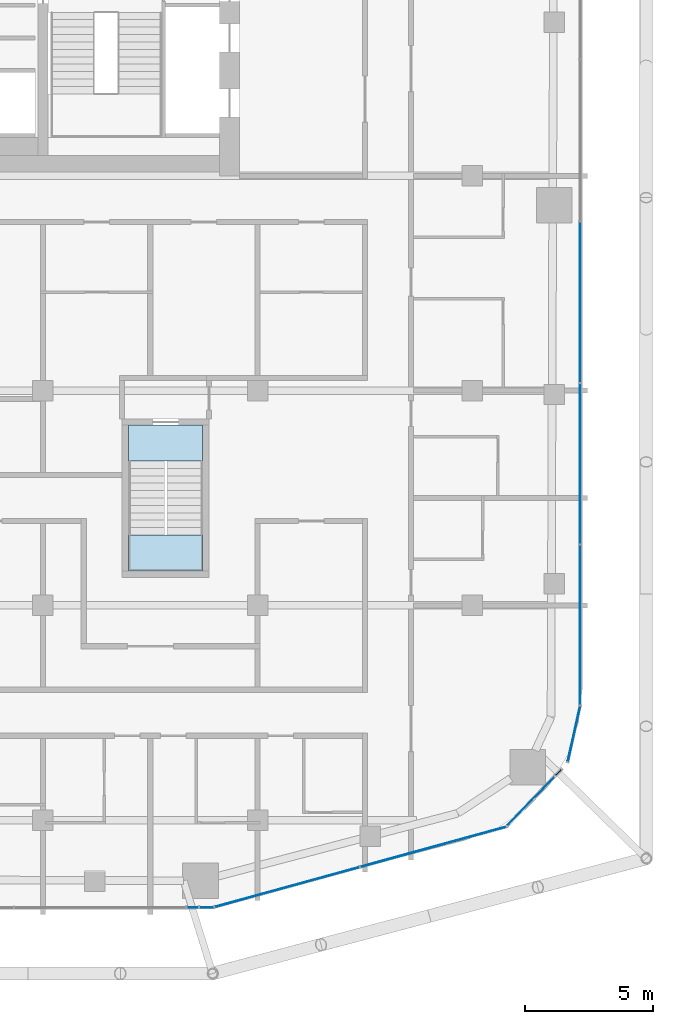
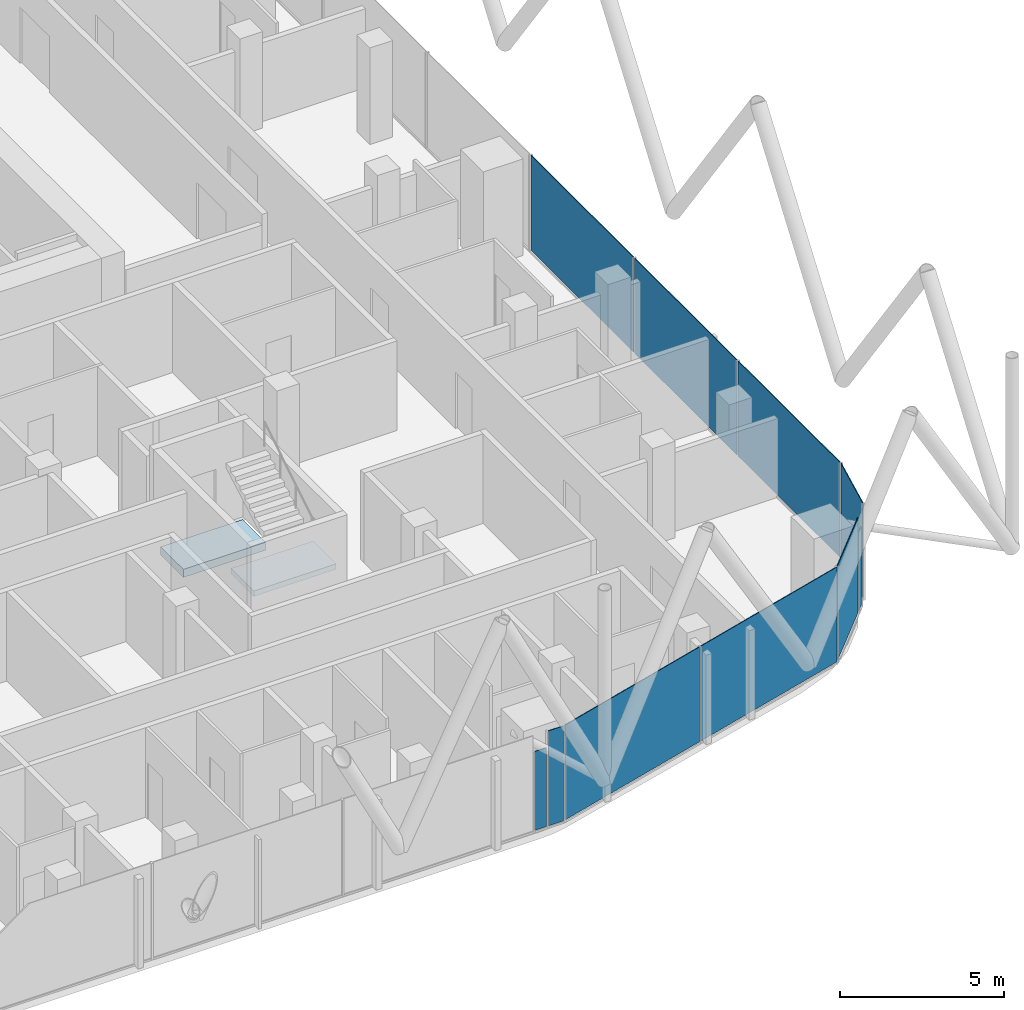
# One storey, part 16 of 28: 10 plates, 2 slabs, 8 elements without a shape of their own.
"""IFC4 building model written with IfcOpenShell, lengths in metres."""

import ifcopenshell
import ifcopenshell.guid

model = None  # the IFC model being written
_history = None  # IfcOwnerHistory: only IFC2X3 demands one
_inside = {}  # id of a spatial element -> (the spatial element, [elements in it])
_under = {}  # id of a project, library or spatial element -> (it, [spatial elements below it])
_declared = {}  # id of a project -> (the project, [libraries it declares])
_typed = {}  # id of a type object -> (the type object, [elements of that type])
_made_of = {}  # id of a material, layer set ... -> (it, [elements and type objects made of it])


def new_model(schema):
    """Start an empty IFC model of exactly this schema.

    Asked for "IFC4X3", IfcOpenShell would pick the latest addendum, in which some entities
    have other attributes; the version numbers below select the first issue.
    IFC2X3 requires an IfcOwnerHistory on every rooted entity: one is made here for all.
    """
    global model, _history
    if schema == "IFC4X3":
        model = ifcopenshell.file(schema_version=(4, 3, 0, 0))
    else:
        model = ifcopenshell.file(schema=schema)
    _inside.clear()
    _under.clear()
    _declared.clear()
    _typed.clear()
    _made_of.clear()
    _history = None
    if model.schema == "IFC2X3":
        org = make("IfcOrganization", Name="unknown")
        user = make(
            "IfcPersonAndOrganization",
            ThePerson=make("IfcPerson", FamilyName="unknown"),
            TheOrganization=org,
        )
        app = make(
            "IfcApplication",
            ApplicationDeveloper=org,
            Version="unknown",
            ApplicationFullName="unknown",
            ApplicationIdentifier="unknown",
        )
        _history = make(
            "IfcOwnerHistory",
            OwningUser=user,
            OwningApplication=app,
            ChangeAction="ADDED",
            CreationDate=0,
        )
    return model


def make(cls, **values):
    """One entity of the class cls with the attributes given. An attribute that is None is left unset."""
    return model.create_entity(
        cls, **{name: value for name, value in values.items() if value is not None}
    )


def rooted(cls, **values):
    """An entity with a GlobalId (a new one), such as an element, a storey or a relation."""
    return make(cls, GlobalId=ifcopenshell.guid.new(), OwnerHistory=_history, **values)


def si_unit(unit_type, name, prefix=None):
    """IfcSIUnit, for example si_unit("LENGTHUNIT", "METRE", prefix="MILLI")."""
    return make("IfcSIUnit", UnitType=unit_type, Prefix=prefix, Name=name)


def assignment(units):
    """IfcUnitAssignment: the units of a project."""
    return None if units is None else make("IfcUnitAssignment", Units=units)


def point(xyz):
    """IfcCartesianPoint."""
    return None if xyz is None else make("IfcCartesianPoint", Coordinates=xyz)


def direction(xyz):
    """IfcDirection."""
    return None if xyz is None else make("IfcDirection", DirectionRatios=xyz)


def frame(location, z_axis=None, x_axis=None):
    """IfcAxis2Placement3D, a coordinate frame: its origin and axes. An axis left out is left unset."""
    return make(
        "IfcAxis2Placement3D",
        Location=point(location),
        Axis=direction(z_axis),
        RefDirection=direction(x_axis),
    )


def frame_2d(location, x_axis=None):
    """IfcAxis2Placement2D, a coordinate frame in the plane: its origin and x axis."""
    return make(
        "IfcAxis2Placement2D", Location=point(location), RefDirection=direction(x_axis)
    )


def origin():
    """The frame at (0, 0, 0) with its axes left unset."""
    return frame((0.0, 0.0, 0.0))


def origin_2d():
    """The frame at (0, 0) in the plane with its x axis left unset."""
    return frame_2d((0.0, 0.0))


def place(relative_to, where):
    """IfcLocalPlacement: puts the frame where relative to a parent placement (None: the world)."""
    return make(
        "IfcLocalPlacement", PlacementRelTo=relative_to, RelativePlacement=where
    )


def context(
    kind, dimensions, precision=None, world=None, true_north=None, identifier=None
):
    """IfcGeometricRepresentationContext, for example the 3D "Model" context."""
    return make(
        "IfcGeometricRepresentationContext",
        ContextIdentifier=identifier,
        ContextType=kind,
        CoordinateSpaceDimension=dimensions,
        Precision=precision,
        WorldCoordinateSystem=world,
        TrueNorth=true_north,
    )


def subcontext(parent, identifier, kind, view, scale=None):
    """IfcGeometricRepresentationSubContext, for example "Body" below "Model"."""
    return make(
        "IfcGeometricRepresentationSubContext",
        ContextIdentifier=identifier,
        ContextType=kind,
        ParentContext=parent,
        TargetScale=scale,
        TargetView=view,
    )


def project(units=None, contexts=None):
    """IfcProject with its units and contexts."""
    return rooted(
        "IfcProject",
        Name="project",
        RepresentationContexts=contexts,
        UnitsInContext=assignment(units),
    )


def spatial(cls, under=None, at=None, **own):
    """A site, building, storey or space (cls), placed at a placement, below another one or the project."""
    s = rooted(cls, ObjectPlacement=at, **own)
    if under is not None:
        _under.setdefault(under.id(), (under, []))[1].append(s)
    return s


def polyline(points):
    """IfcPolyline through the points."""
    return make("IfcPolyline", Points=[point(p) for p in points])


def profile(cls, at=None, kind="AREA", **sizes):
    """A parametric profile (cls). Its sizes go by their IFC names, for example OverallWidth=200.0."""
    return make(cls, ProfileType=kind, Position=at, **sizes)


def rectangle(**sizes):
    """IfcRectangleProfileDef."""
    return profile("IfcRectangleProfileDef", **sizes)


def outline(outer, holes=None, kind="AREA"):
    """IfcArbitraryClosedProfileDef: a profile drawn as a closed curve; with holes, ...WithVoids."""
    if holes is None:
        return make("IfcArbitraryClosedProfileDef", ProfileType=kind, OuterCurve=outer)
    return make(
        "IfcArbitraryProfileDefWithVoids",
        ProfileType=kind,
        OuterCurve=outer,
        InnerCurves=holes,
    )


def extrude(swept, where, along, depth):
    """IfcExtrudedAreaSolid: the profile swept, set in the frame where, extruded along a direction by depth."""
    return make(
        "IfcExtrudedAreaSolid",
        SweptArea=swept,
        Position=where,
        ExtrudedDirection=direction(along),
        Depth=depth,
    )


def shape(context_of_items, identifier, shape_type, items):
    """IfcShapeRepresentation: the items that make up one representation, for example the "Body"."""
    return make(
        "IfcShapeRepresentation",
        ContextOfItems=context_of_items,
        RepresentationIdentifier=identifier,
        RepresentationType=shape_type,
        Items=items,
    )


def material(Name=None, Category=None):
    """IfcMaterial."""
    return make("IfcMaterial", Name=Name, Category=Category)


def layer(
    of_material, thickness, ventilated=None, Name=None, Category=None, Priority=None
):
    """IfcMaterialLayer: one layer of a wall or slab, of a material (None: an air gap)."""
    return make(
        "IfcMaterialLayer",
        Material=of_material,
        LayerThickness=thickness,
        IsVentilated=ventilated,
        Name=Name,
        Category=Category,
        Priority=Priority,
    )


def layer_set(layers, Name=None):
    """IfcMaterialLayerSet."""
    return make("IfcMaterialLayerSet", MaterialLayers=layers, LayerSetName=Name)


def made_of(thing, what):
    """Note that an element or type object is made of a material, layer set ...; save() writes the relation."""
    if what is not None:
        _made_of.setdefault(what.id(), (what, []))[1].append(thing)
    return thing


def type_object(cls, material=None, **own):
    """A type object (cls), such as IfcWallType, which elements share."""
    return made_of(rooted(cls, **own), material)


def element(
    cls,
    number,
    at=None,
    inside=None,
    cuts=None,
    type_object=None,
    material=None,
    context=None,
    identifier="Body",
    shape_type=None,
    held_by="IfcProductDefinitionShape",
    body=None,
    shapes=None,
    **own,
):
    """One element of the class cls, such as IfcWall. Its Tag is "e" and its number.

    at: its placement. inside: the storey or other place that contains it. cuts: it is an
    opening in that element (IfcRelVoidsElement). A single representation is given by context,
    identifier, shape_type and body (its items); several are given by shapes. held_by: the class
    of the entity that holds the representations. save() writes the other relations.
    """
    e = rooted(cls, Tag="e%d" % number, ObjectPlacement=at, **own)
    if body is not None:
        shapes = [shape(context, identifier, shape_type, body)]
    if shapes is not None:
        e.Representation = make(held_by, Representations=shapes)
    if inside is not None:
        _inside.setdefault(inside.id(), (inside, []))[1].append(e)
    if cuts is not None:
        rooted(
            "IfcRelVoidsElement", RelatingBuildingElement=cuts, RelatedOpeningElement=e
        )
    if type_object is not None:
        _typed.setdefault(type_object.id(), (type_object, []))[1].append(e)
    return made_of(e, material)


def aggregate(whole, parts):
    """IfcRelAggregates: a whole, such as a stair, and the parts it consists of."""
    return rooted("IfcRelAggregates", RelatingObject=whole, RelatedObjects=parts)


def save(model, path):
    """Write the relations noted so far, then the file.

    IfcRelAggregates (storeys below a building ...), IfcRelContainedInSpatialStructure (elements
    in a storey), IfcRelDefinesByType, IfcRelAssociatesMaterial and IfcRelDeclares: one each for
    every whole, place, type object, material and project.
    """
    for whole, parts in _under.values():
        aggregate(whole, parts)
    for where, things in _inside.values():
        rooted(
            "IfcRelContainedInSpatialStructure",
            RelatedElements=things,
            RelatingStructure=where,
        )
    for kind, things in _typed.values():
        rooted("IfcRelDefinesByType", RelatedObjects=things, RelatingType=kind)
    for what, things in _made_of.values():
        rooted("IfcRelAssociatesMaterial", RelatedObjects=things, RelatingMaterial=what)
    for by, libraries in _declared.values():
        rooted("IfcRelDeclares", RelatingContext=by, RelatedDefinitions=libraries)
    model.write(path)


model = new_model("IFC4")

# Units and contexts
model_context = context("Model", 3, precision=1e-05, world=origin(), true_north=direction((0.0, 1.0)))
body_context = subcontext(model_context, "Body", "Model", "MODEL_VIEW")
ifc_project = project(units=[si_unit("LENGTHUNIT", "METRE"), si_unit("AREAUNIT", "SQUARE_METRE"), si_unit("VOLUMEUNIT", "CUBIC_METRE"), si_unit("PLANEANGLEUNIT", "RADIAN"), si_unit("MASSUNIT", "GRAM", prefix="KILO")], contexts=[model_context])

# Site, building, storey
site_placement = place(None, origin())
site = spatial("IfcSite", under=ifc_project, at=site_placement, CompositionType="ELEMENT")
building_placement = place(site_placement, origin())
building = spatial("IfcBuilding", under=site, at=building_placement, Name="Marenta Gate Hotel Tower", CompositionType="ELEMENT")
storey_placement = place(building_placement, frame((0.0, 0.0, 227.300048828125)))
storey = spatial("IfcBuildingStorey", under=building, at=storey_placement, Name="L53", CompositionType="ELEMENT", Elevation=227.300048828125)

# Curtain wall, plate
ifc_material_1 = material(Name="Tinted insulated glass in bronze anodised frame", Category="glass")
ifc_layer_1 = layer(ifc_material_1, 0.1201171875)
ifc_layer_set_1 = layer_set([ifc_layer_1], Name="Tinted insulated glass in bronze anodised frame")
curtain_wall_type = type_object("IfcCurtainWallType", Name="Tower unitised curtain wall CW1", PredefinedType="NOTDEFINED", material=ifc_layer_set_1)
curtain_wall_1_placement = place(storey_placement, origin())
curtain_wall_1 = element("IfcCurtainWall", 1, at=curtain_wall_1_placement, inside=storey, type_object=curtain_wall_type, Name="CW1 run G13", PredefinedType="NOTDEFINED")
ifc_material_2 = material(Name="Tinted insulated glass", Category="glass")
ifc_layer_2 = layer(ifc_material_2, 0.028076171875)
ifc_layer_set_2 = layer_set([ifc_layer_2], Name="Tinted insulated glass")
plate_type = type_object("IfcPlateType", Name="Glass panel CW1 28 mm tinted insulated unit", PredefinedType="CURTAIN_PANEL", material=ifc_layer_set_2)
plate_1_placement = place(storey_placement, frame((10.06201171875, -28.614013671875, 0.06005859375), z_axis=(0.0, 0.0, 1.0), x_axis=(0.999998577531, 0.001686693784, 0.0)))
plate_1 = element("IfcPlate", 2, at=plate_1_placement, type_object=plate_type, Name="CW1 panel 1.1", PredefinedType="CURTAIN_PANEL", context=body_context, shape_type="SweptSolid", body=[
    extrude(rectangle(XDim=0.414306640625, YDim=0.028076171875, at=origin_2d()), origin(), (0.0, 0.0, 1.0), 2.9404296875),
])
aggregate(curtain_wall_1, [plate_1])

curtain_wall_2_placement = place(storey_placement, origin())
curtain_wall_2 = element("IfcCurtainWall", 3, at=curtain_wall_2_placement, inside=storey, type_object=curtain_wall_type, Name="CW1 run G14", PredefinedType="NOTDEFINED")
plate_2_placement = place(storey_placement, frame((10.601318359375, -28.613037109375, 0.059814453125), z_axis=(0.0, 0.0, 1.0), x_axis=(0.999998631715, 0.001654257461, 0.0)))
plate_2 = element("IfcPlate", 4, at=plate_2_placement, type_object=plate_type, Name="CW1 panel 1.1", PredefinedType="CURTAIN_PANEL", context=body_context, shape_type="SweptSolid", body=[
    extrude(rectangle(XDim=0.54443359375, YDim=0.028076171875, at=origin_2d()), origin(), (0.0, 0.0, 1.0), 3.5400390625),
])
aggregate(curtain_wall_2, [plate_2])

# Curtain wall, plates
curtain_wall_3_placement = place(storey_placement, origin())
curtain_wall_3 = element("IfcCurtainWall", 5, at=curtain_wall_3_placement, inside=storey, type_object=curtain_wall_type, Name="CW1 run G15", PredefinedType="NOTDEFINED")
plate_3_placement = place(storey_placement, frame((13.7509765625, -27.82080078125, 0.059814453125), z_axis=(0.0, 0.0, 1.0), x_axis=(0.964167765212, 0.265293272675, 0.0)))
plate_3 = element("IfcPlate", 6, at=plate_3_placement, type_object=plate_type, Name="CW1 panel 1.1", PredefinedType="CURTAIN_PANEL", context=body_context, shape_type="SweptSolid", body=[
    extrude(rectangle(XDim=5.848388671875, YDim=0.028076171875, at=origin_2d()), origin(), (0.0, 0.0, 1.0), 3.5400390625),
])
plate_4_placement = place(storey_placement, frame((19.4765625, -26.245361328125, 0.059814453125), z_axis=(0.0, 0.0, 1.0), x_axis=(0.964167765212, 0.265293272675, 0.0)))
plate_4 = element("IfcPlate", 7, at=plate_4_placement, type_object=plate_type, Name="CW1 panel 2.1", PredefinedType="CURTAIN_PANEL", context=body_context, shape_type="SweptSolid", body=[
    extrude(rectangle(XDim=5.908203125, YDim=0.028076171875, at=origin_2d()), origin(), (0.0, 0.0, 1.0), 3.5400390625),
])
aggregate(curtain_wall_3, [plate_3, plate_4])

# Curtain wall, plate
curtain_wall_4_placement = place(storey_placement, origin())
curtain_wall_4 = element("IfcCurtainWall", 8, at=curtain_wall_4_placement, inside=storey, type_object=curtain_wall_type, Name="CW1 run G16", PredefinedType="NOTDEFINED")
plate_5_placement = place(storey_placement, frame((23.284912109375, -24.461669921875, 0.059814453125), z_axis=(0.0, 0.0, 1.0), x_axis=(0.692544874237, 0.721374796599, 0.0)))
plate_5 = element("IfcPlate", 9, at=plate_5_placement, type_object=plate_type, Name="CW1 panel 1.1", PredefinedType="CURTAIN_PANEL", context=body_context, shape_type="SweptSolid", body=[
    extrude(rectangle(XDim=2.652587890625, YDim=0.028076171875, at=origin_2d()), origin(), (0.0, 0.0, 1.0), 3.5400390625),
])
aggregate(curtain_wall_4, [plate_5])

curtain_wall_5_placement = place(storey_placement, origin())
curtain_wall_5 = element("IfcCurtainWall", 10, at=curtain_wall_5_placement, inside=storey, type_object=curtain_wall_type, Name="CW1 run G17", PredefinedType="NOTDEFINED")
plate_6_placement = place(storey_placement, frame((24.360107421875, -23.341552734375, 0.06005859375), z_axis=(0.0, 0.0, 1.0), x_axis=(0.692499661278, 0.721418199888, 0.0)))
plate_6 = element("IfcPlate", 11, at=plate_6_placement, type_object=plate_type, Name="CW1 panel 1.1", PredefinedType="CURTAIN_PANEL", context=body_context, shape_type="SweptSolid", body=[
    extrude(rectangle(XDim=0.3330078125, YDim=0.028076171875, at=origin_2d()), origin(), (0.0, 0.0, 1.0), 2.9404296875),
])
aggregate(curtain_wall_5, [plate_6])

curtain_wall_6_placement = place(storey_placement, origin())
curtain_wall_6 = element("IfcCurtainWall", 12, at=curtain_wall_6_placement, inside=storey, type_object=curtain_wall_type, Name="CW1 run G18", PredefinedType="NOTDEFINED")
plate_7_placement = place(storey_placement, frame((24.9736328125, -21.825927734375, 0.059814453125), z_axis=(0.0, 0.0, 1.0), x_axis=(0.216842096529, 0.97620669183, 0.0)))
plate_7 = element("IfcPlate", 13, at=plate_7_placement, type_object=plate_type, Name="CW1 panel 1.1", PredefinedType="CURTAIN_PANEL", context=body_context, shape_type="SweptSolid", body=[
    extrude(rectangle(XDim=2.216796875, YDim=0.028076171875, at=origin_2d()), origin(), (0.0, 0.0, 1.0), 3.5400390625),
])
aggregate(curtain_wall_6, [plate_7])

# Curtain wall, plates
curtain_wall_7_placement = place(storey_placement, origin())
curtain_wall_7 = element("IfcCurtainWall", 14, at=curtain_wall_7_placement, inside=storey, type_object=curtain_wall_type, Name="CW1 run G19", PredefinedType="NOTDEFINED")
plate_8_placement = place(storey_placement, frame((25.214111328125, -17.567626953125, 0.059814453125), z_axis=(0.0, 0.0, 1.0), x_axis=(0.0, 1.0, 0.0)))
plate_8 = element("IfcPlate", 15, at=plate_8_placement, type_object=plate_type, Name="CW1 panel 1.1", PredefinedType="CURTAIN_PANEL", context=body_context, shape_type="SweptSolid", body=[
    extrude(rectangle(XDim=6.232666015625, YDim=0.028076171875, at=origin_2d()), origin(), (0.0, 0.0, 1.0), 3.5400390625),
])
plate_9_placement = place(storey_placement, frame((25.214111328125, -11.260009765625, 0.059814453125), z_axis=(0.0, 0.0, 1.0), x_axis=(0.0, 1.0, 0.0)))
plate_9 = element("IfcPlate", 16, at=plate_9_placement, type_object=plate_type, Name="CW1 panel 2.1", PredefinedType="CURTAIN_PANEL", context=body_context, shape_type="SweptSolid", body=[
    extrude(rectangle(XDim=6.2626953125, YDim=0.028076171875, at=origin_2d()), origin(), (0.0, 0.0, 1.0), 3.5400390625),
])
plate_10_placement = place(storey_placement, frame((25.214111328125, -4.937255859375, 0.059814453125), z_axis=(0.0, 0.0, 1.0), x_axis=(0.0, 1.0, 0.0)))
plate_10 = element("IfcPlate", 17, at=plate_10_placement, type_object=plate_type, Name="CW1 panel 3.1", PredefinedType="CURTAIN_PANEL", context=body_context, shape_type="SweptSolid", body=[
    extrude(rectangle(XDim=6.2626953125, YDim=0.028076171875, at=origin_2d()), origin(), (0.0, 0.0, 1.0), 3.5400390625),
])
aggregate(curtain_wall_7, [plate_8, plate_9, plate_10])

# Stair, slab
ifc_material_3 = material(Name="Concrete C40", Category="concrete")
stair_type = type_object("IfcStairType", Name="Remote exit stair 1400 wide", PredefinedType="HALF_TURN_STAIR", material=ifc_material_3)
stair_placement = place(storey_placement, origin())
stair = element("IfcStair", 18, at=stair_placement, inside=storey, type_object=stair_type, Name="Exit stair RS-Z3-2", PredefinedType="HALF_TURN_STAIR")
ifc_material_4 = material(Name="Concrete C40", Category="concrete")
ifc_layer_3 = layer(ifc_material_4, 0.199951171875)
ifc_layer_set_3 = layer_set([ifc_layer_3], Name="Concrete C40")
slab_type_1 = type_object("IfcSlabType", Name="Remote stair landing 200", PredefinedType="LANDING", material=ifc_layer_set_3)
slab_1_placement = place(storey_placement, frame((0.0, 0.0, 1.599853515625)))
slab_1 = element("IfcSlab", 19, at=slab_1_placement, type_object=slab_type_1, Name="RL-200 RS-Z3-2 landing 1", PredefinedType="LANDING", context=body_context, shape_type="SweptSolid", body=[
    extrude(outline(polyline([(7.550048828125, -15.449951171875), (10.449951171875, -15.449951171875), (10.449951171875, -14.050048828125), (7.550048828125, -14.050048828125), (7.550048828125, -15.449951171875)])), origin(), (0.0, 0.0, 1.0), 0.2001953125),
])
aggregate(stair, [slab_1])

# Slab
ifc_material_5 = material(Name="Concrete C40", Category="concrete")
ifc_layer_4 = layer(ifc_material_5, 0.300048828125)
ifc_layer_set_4 = layer_set([ifc_layer_4], Name="Concrete C40")
slab_type_2 = type_object("IfcSlabType", Name="Stair floor landing slab 300", PredefinedType="FLOOR", material=ifc_layer_set_4)
slab_2_placement = place(storey_placement, frame((0.0, 0.0, -0.300048828125)))
element("IfcSlab", 20, at=slab_2_placement, inside=storey, type_object=slab_type_2, Name="L53-RS-Z3-2-CL", PredefinedType="FLOOR", context=body_context, shape_type="SweptSolid", body=[
    extrude(outline(polyline([(10.449951171875, -11.14990234375), (10.449951171875, -9.75), (7.550048828125, -9.75), (7.550048828125, -11.14990234375), (10.449951171875, -11.14990234375)])), origin(), (0.0, 0.0, 1.0), 0.300048828125),
])

save(model, "model.ifc")
